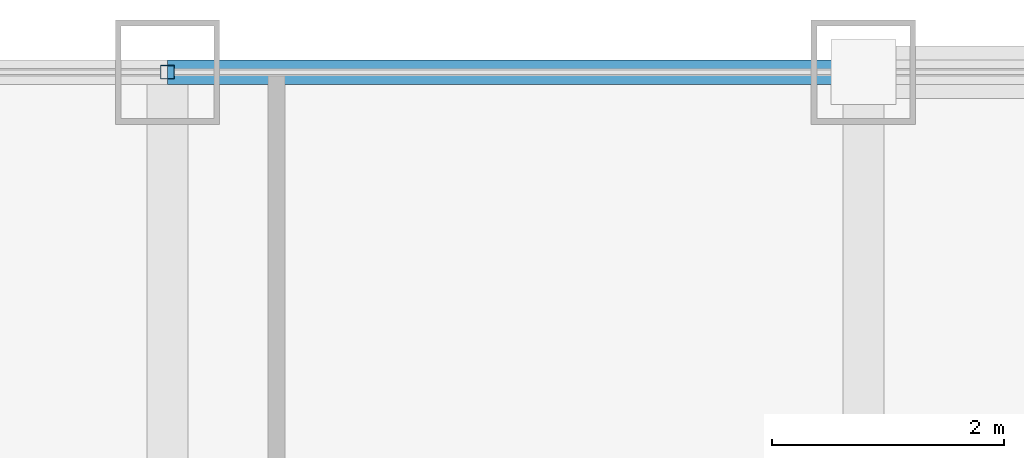
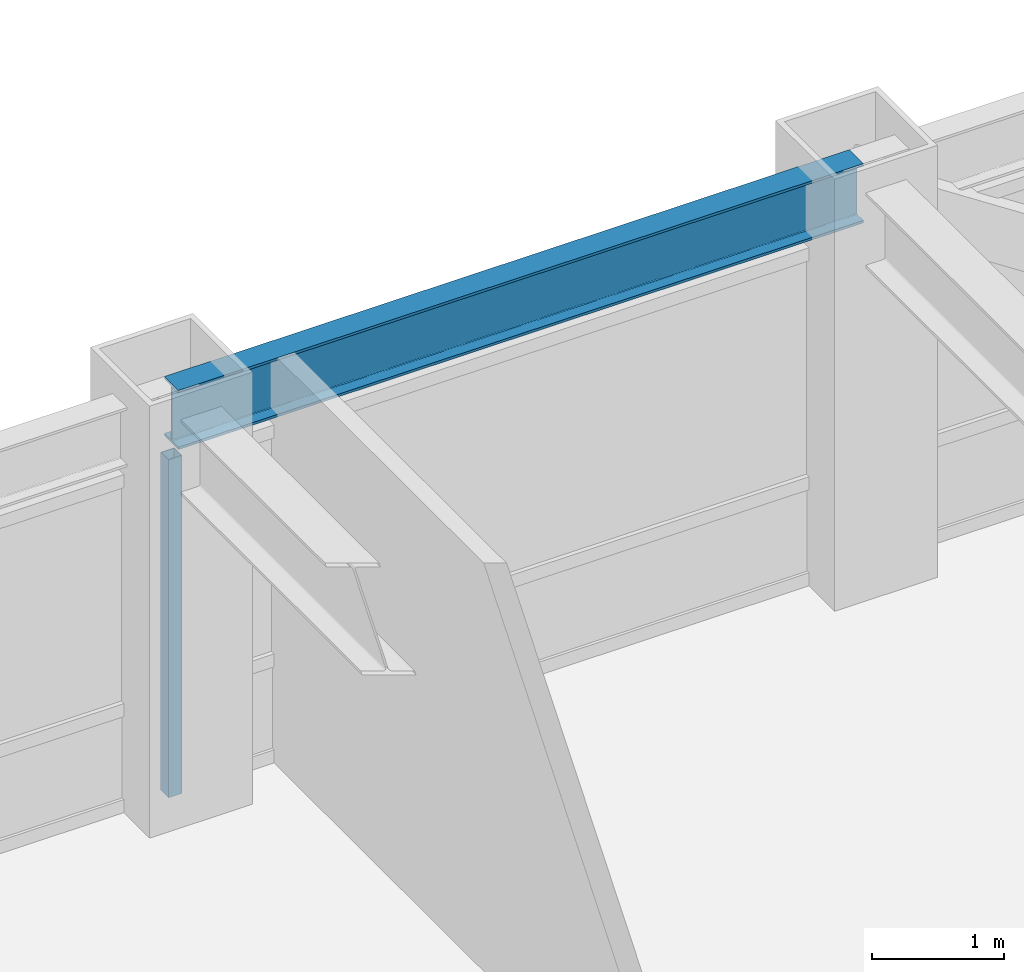
# One storey, part 14 of 22: 1 beam, 1 member, 1 element without a shape of its own.
"""IFC4 building model written with IfcOpenShell, lengths in metres."""

from ifc_helpers import new_model, si_unit, direction, frame, origin, origin_2d, place, context, subcontext, project, spatial, hollow_rectangle, i_section, extrude, source, transform, mapped, material, material_profile, profile_set, type_object, element, aggregate, save


model = new_model("IFC4")

# Units and contexts
model_context = context("Model", 3, precision=1e-05, world=origin(), true_north=direction((0.0, 1.0)))
body_context = subcontext(model_context, "Body", "Model", "MODEL_VIEW")
ifc_project = project(units=[si_unit("LENGTHUNIT", "METRE"), si_unit("AREAUNIT", "SQUARE_METRE"), si_unit("VOLUMEUNIT", "CUBIC_METRE"), si_unit("PLANEANGLEUNIT", "RADIAN"), si_unit("MASSUNIT", "GRAM", prefix="KILO")], contexts=[model_context])

# Site, building, storey
site_placement = place(None, origin())
site = spatial("IfcSite", under=ifc_project, at=site_placement, CompositionType="ELEMENT")
building_placement = place(site_placement, origin())
building = spatial("IfcBuilding", under=site, at=building_placement, Name="Khorayat Bourse Tower", CompositionType="ELEMENT")
storey_placement = place(building_placement, frame((0.0, 0.0, 305.5)))
storey = spatial("IfcBuildingStorey", under=building, at=storey_placement, Name="L72", CompositionType="ELEMENT", Elevation=305.5)

# Beam
ifc_material_1 = material(Name="Steel ASTM A992 Grade 50", Category="steel")
ifc_material_profile_1 = material_profile(ifc_material_1, i_section(OverallWidth=0.214111328125, OverallDepth=0.549072265625, WebThickness=0.0146484375, FlangeThickness=0.023681640625, FilletRadius=0.013916015625, at=origin_2d()), Name="W530X138")
ifc_profile_set_1 = profile_set([ifc_material_profile_1], Name="Steel ASTM A992 Grade 50")
beam_type = type_object("IfcBeamType", Name="BM-SPAN-530", PredefinedType="SPANDREL", material=ifc_profile_set_1)
shared_shape_1 = source(origin(), body_context, "Body", "SweptSolid", [
    extrude(i_section(OverallWidth=0.214111328125, OverallDepth=0.549072265625, WebThickness=0.0146484375, FlangeThickness=0.023681640625, FilletRadius=0.013916015625, at=origin_2d()), origin(), (0.0, 0.0, 1.0), 6.0),
])
beam_placement = place(storey_placement, frame((0.0, 28.0, 3.505615234375), z_axis=(1.0, 0.0, 0.0), x_axis=(0.0, 1.0, 0.0)))
element("IfcBeam", 1, at=beam_placement, inside=storey, type_object=beam_type, Name="L72 BM-SPAN-530 BM-L72-SPN-047", PredefinedType="SPANDREL", context=body_context, shape_type="MappedRepresentation", body=[
    mapped(shared_shape_1, transform((0.0, 0.0, 0.0), scale=1.0)),
])

# Curtain wall, member
ifc_material_2 = material(Name="Aluminium EN AW-6063 T6", Category="aluminium")
curtain_wall_type = type_object("IfcCurtainWallType", Name="CW-SYS-04", PredefinedType="NOTDEFINED", material=ifc_material_2)
curtain_wall_placement = place(storey_placement, origin())
curtain_wall = element("IfcCurtainWall", 2, at=curtain_wall_placement, inside=storey, type_object=curtain_wall_type, Name="L72 Curtain Wall CW-L72-N1", PredefinedType="NOTDEFINED")
ifc_material_profile_2 = material_profile(ifc_material_2, hollow_rectangle(XDim=0.1201171875, YDim=0.1201171875, WallThickness=0.0048828125, at=origin_2d()), Name="ALU 120x120x5")
ifc_profile_set_2 = profile_set([ifc_material_profile_2], Name="Aluminium EN AW-6063 T6")
member_type = type_object("IfcMemberType", Name="CWM-VERT-120", PredefinedType="MULLION", material=ifc_profile_set_2)
shared_shape_2 = source(origin(), body_context, "Body", "SweptSolid", [
    extrude(hollow_rectangle(XDim=0.1201171875, YDim=0.1201171875, WallThickness=0.0048828125, at=origin_2d()), origin(), (0.0, 0.0, 1.0), 3.1298828125),
])
member_placement = place(storey_placement, frame((0.0, 28.0, 0.0), z_axis=(0.0, 0.0, 1.0), x_axis=(0.0, 1.0, 0.0)))
member = element("IfcMember", 3, at=member_placement, type_object=member_type, Name="CW-L72-N1 Vertical Mullion 2", PredefinedType="MULLION", context=body_context, shape_type="MappedRepresentation", body=[
    mapped(shared_shape_2, transform((0.0, 0.0, 0.0), scale=1.0)),
])
aggregate(curtain_wall, [member])

save(model, "model.ifc")
